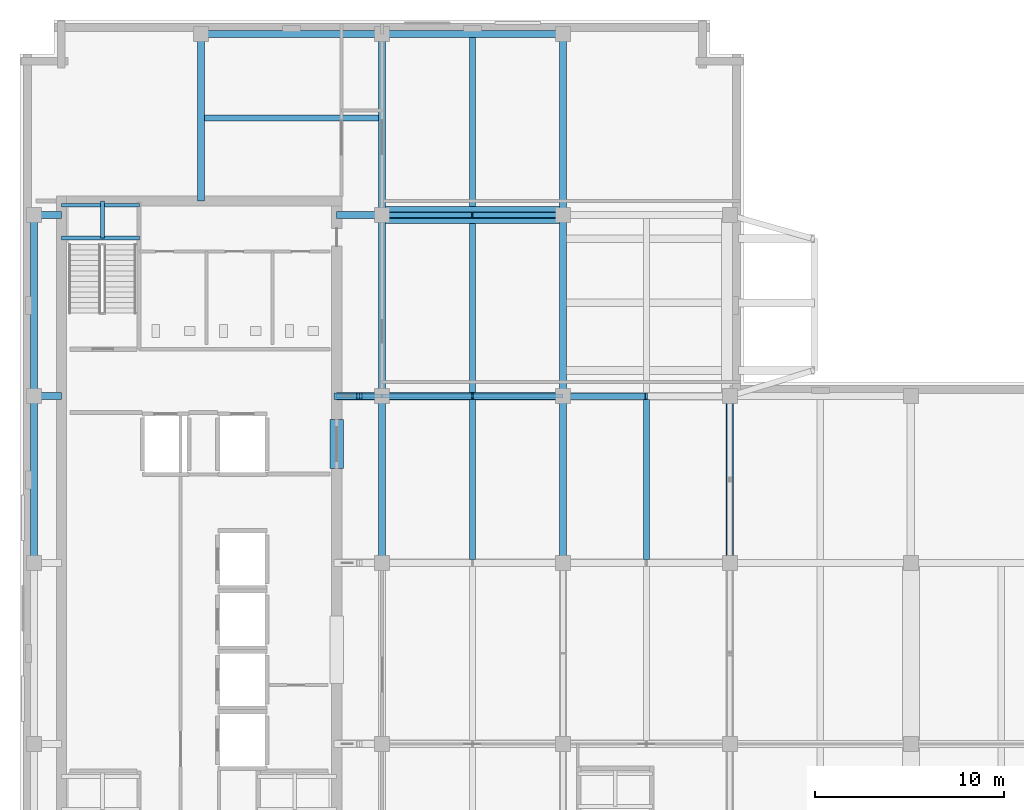
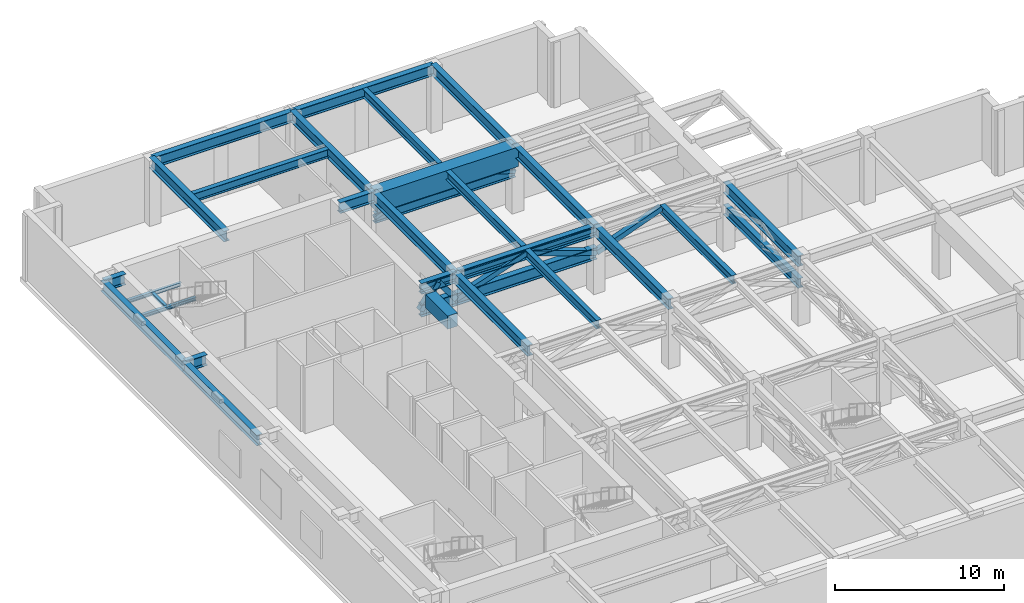
# One storey, part 6 of 19: 31 beams, 9 members.
"""IFC4 building model written with IfcOpenShell, lengths in metres."""

from ifc_helpers import new_model, si_unit, direction, frame, origin, origin_2d, place, context, subcontext, project, spatial, rectangle, hollow_rectangle, i_section, extrude, material, material_profile, profile_set, type_object, element, save


model = new_model("IFC4")

# Units and contexts
model_context = context("Model", 3, precision=1e-05, world=origin(), true_north=direction((0.0, 1.0)))
body_context = subcontext(model_context, "Body", "Model", "MODEL_VIEW")
ifc_project = project(units=[si_unit("LENGTHUNIT", "METRE"), si_unit("AREAUNIT", "SQUARE_METRE"), si_unit("VOLUMEUNIT", "CUBIC_METRE"), si_unit("PLANEANGLEUNIT", "RADIAN"), si_unit("MASSUNIT", "GRAM", prefix="KILO")], contexts=[model_context])

# Site, building, storey
site_placement = place(None, origin())
site = spatial("IfcSite", under=ifc_project, at=site_placement, CompositionType="ELEMENT")
building_placement = place(site_placement, origin())
building = spatial("IfcBuilding", under=site, at=building_placement, Name="Norrvale University Quadrangle", CompositionType="ELEMENT")
storey_placement = place(building_placement, frame((0.0, 0.0, 256.0)))
storey = spatial("IfcBuildingStorey", under=building, at=storey_placement, Name="L65", CompositionType="ELEMENT", Elevation=256.0)

# Beams
ifc_material_1 = material(Name="Steel 350W", Category="steel")
ifc_material_profile_1 = material_profile(ifc_material_1, i_section(OverallWidth=0.324951171875, OverallDepth=0.615966796875, WebThickness=0.013916015625, FlangeThickness=0.021484375, FilletRadius=0.01611328125, at=origin_2d()), Name="Steel 350W")
ifc_profile_set_1 = profile_set([ifc_material_profile_1], Name="Steel 350W")
beam_type_1 = type_object("IfcBeamType", Name="Beam Belt W610x174", PredefinedType="BEAM", material=ifc_profile_set_1)
beam_1_placement = place(storey_placement, frame((24.0, 28.990478515625, 4.431884765625), z_axis=(0.0, 1.0, 0.0), x_axis=(-1.0, 0.0, 0.0)))
element("IfcBeam", 1, at=beam_1_placement, inside=storey, type_object=beam_type_1, Name="Beam Belt W610x174 BM-L65-J060", PredefinedType="BEAM", context=body_context, shape_type="SweptSolid", body=[
    extrude(i_section(OverallWidth=0.324951171875, OverallDepth=0.615966796875, WebThickness=0.013916015625, FlangeThickness=0.021484375, FilletRadius=0.01611328125, at=origin_2d()), origin(), (0.0, 0.0, 1.0), 8.468994140625),
])
for number, where, z_axis, x_axis, name in (
    (2, (24.0, 37.840576171875, 4.431884765625), (0.0, 1.0, 0.0), (-1.0, 0.0, 0.0), "Beam Belt W610x174 BM-L65-J061"),
    (3, (24.0, 47.699951171875, 4.39208984375), (0.0, 1.0, 0.0), (-1.0, 0.0, 0.0), "Beam Belt W610x174 BM-L65-J062"),
):
    element("IfcBeam", number, at=place(storey_placement, frame(where, z_axis=z_axis, x_axis=x_axis)), inside=storey, type_object=beam_type_1, Name=name, PredefinedType="BEAM", context=body_context, shape_type="SweptSolid", body=[
        extrude(i_section(OverallWidth=0.324951171875, OverallDepth=0.615966796875, WebThickness=0.013916015625, FlangeThickness=0.021484375, FilletRadius=0.01611328125, at=origin_2d()), origin(), (0.0, 0.0, 1.0), 8.95947265625),
    ])
beam_2_placement = place(storey_placement, frame((33.22509765625, 28.990478515625, 4.431884765625), z_axis=(0.0, 1.0, 0.0), x_axis=(-1.0, 0.0, 0.0)))
element("IfcBeam", 4, at=beam_2_placement, inside=storey, type_object=beam_type_1, Name="Beam Belt W610x174 BM-L65-J065", PredefinedType="BEAM", context=body_context, shape_type="SweptSolid", body=[
    extrude(i_section(OverallWidth=0.324951171875, OverallDepth=0.615966796875, WebThickness=0.013916015625, FlangeThickness=0.021484375, FilletRadius=0.01611328125, at=origin_2d()), origin(), (0.0, 0.0, 1.0), 8.468994140625),
])
beam_3_placement = place(storey_placement, frame((9.79052734375, 52.39990234375, 4.39208984375), z_axis=(1.0, 0.0, 0.0), x_axis=(0.0, 1.0, 0.0)))
element("IfcBeam", 5, at=beam_3_placement, inside=storey, type_object=beam_type_1, Name="Beam Belt W610x174 BM-L65-JCN076", PredefinedType="BEAM", context=body_context, shape_type="SweptSolid", body=[
    extrude(i_section(OverallWidth=0.324951171875, OverallDepth=0.615966796875, WebThickness=0.013916015625, FlangeThickness=0.021484375, FilletRadius=0.01611328125, at=origin_2d()), origin(), (0.0, 0.0, 1.0), 9.218994140625),
])
ifc_material_profile_2 = material_profile(ifc_material_1, i_section(OverallWidth=0.35498046875, OverallDepth=0.695068359375, WebThickness=0.015380859375, FlangeThickness=0.02490234375, FilletRadius=0.01806640625, at=origin_2d()), Name="Steel 350W")
ifc_profile_set_2 = profile_set([ifc_material_profile_2], Name="Steel 350W")
beam_type_2 = type_object("IfcBeamType", Name="Beam Belt W690x217", PredefinedType="BEAM", material=ifc_profile_set_2)
beam_4_placement = place(storey_placement, frame((37.64990234375, 28.800048828125, 2.75), z_axis=(0.0, 1.0, 0.0), x_axis=(-1.0, 0.0, 0.0)))
element("IfcBeam", 6, at=beam_4_placement, inside=storey, type_object=beam_type_2, Name="Belt Truss Chord L65-03", PredefinedType="BEAM", context=body_context, shape_type="SweptSolid", body=[
    extrude(i_section(OverallWidth=0.35498046875, OverallDepth=0.695068359375, WebThickness=0.015380859375, FlangeThickness=0.02490234375, FilletRadius=0.01806640625, at=origin_2d()), origin(), (0.0, 0.0, 1.0), 8.849853515625),
])
beam_5_placement = place(storey_placement, frame((19.199951171875, 47.25, 2.75), z_axis=(1.0, 0.0, 0.0), x_axis=(0.0, 1.0, 0.0)))
element("IfcBeam", 7, at=beam_5_placement, inside=storey, type_object=beam_type_2, Name="Belt Truss Chord L65-06", PredefinedType="BEAM", context=body_context, shape_type="SweptSolid", body=[
    extrude(i_section(OverallWidth=0.35498046875, OverallDepth=0.695068359375, WebThickness=0.015380859375, FlangeThickness=0.02490234375, FilletRadius=0.01806640625, at=origin_2d()), origin(), (0.0, 0.0, 1.0), 9.60009765625),
])
ifc_material_2 = material(Name="Concrete C80/95", Category="concrete")
ifc_material_profile_3 = material_profile(ifc_material_2, rectangle(XDim=0.699951171875, YDim=0.949951171875, at=origin_2d()), Name="Concrete C80/95")
ifc_profile_set_3 = profile_set([ifc_material_profile_3], Name="Concrete C80/95")
beam_type_3 = type_object("IfcBeamType", Name="Beam Core Link 700x950", PredefinedType="LINTEL", material=ifc_profile_set_3)
beam_6_placement = place(storey_placement, frame((16.800048828125, 33.800048828125, 4.264892578125), z_axis=(0.0, 1.0, 0.0), x_axis=(-1.0, 0.0, 0.0)))
element("IfcBeam", 8, at=beam_6_placement, inside=storey, type_object=beam_type_3, Name="Core Coupling Lintel Beam L65-2", PredefinedType="LINTEL", context=body_context, shape_type="SweptSolid", body=[
    extrude(rectangle(XDim=0.699951171875, YDim=0.949951171875, at=origin_2d()), origin(), (0.0, 0.0, 1.0), 2.599853515625),
])
ifc_material_profile_4 = material_profile(ifc_material_1, i_section(OverallWidth=0.381103515625, OverallDepth=0.77294921875, WebThickness=0.0166015625, FlangeThickness=0.027587890625, FilletRadius=0.02001953125, at=origin_2d()), Name="Steel 350W")
ifc_profile_set_4 = profile_set([ifc_material_profile_4], Name="Steel 350W")
beam_type_4 = type_object("IfcBeamType", Name="Beam Outrig W760x257", PredefinedType="BEAM", material=ifc_profile_set_4)
beam_7_placement = place(storey_placement, frame((19.199951171875, 37.64990234375, 4.353515625), z_axis=(1.0, 0.0, 0.0), x_axis=(0.0, 1.0, 0.0)))
element("IfcBeam", 9, at=beam_7_placement, inside=storey, type_object=beam_type_4, Name="Beam Outrig W760x257 BM-L65-GX017", PredefinedType="BEAM", context=body_context, shape_type="SweptSolid", body=[
    extrude(i_section(OverallWidth=0.381103515625, OverallDepth=0.77294921875, WebThickness=0.0166015625, FlangeThickness=0.027587890625, FilletRadius=0.02001953125, at=origin_2d()), origin(), (0.0, 0.0, 1.0), 9.60009765625),
])
beam_8_placement = place(storey_placement, frame((9.60009765625, 56.85009765625, 4.3134765625), z_axis=(1.0, 0.0, 0.0), x_axis=(0.0, 1.0, 0.0)))
element("IfcBeam", 10, at=beam_8_placement, inside=storey, type_object=beam_type_4, Name="Beam Outrig W760x257 BM-L65-GX021", PredefinedType="BEAM", context=body_context, shape_type="SweptSolid", body=[
    extrude(i_section(OverallWidth=0.381103515625, OverallDepth=0.77294921875, WebThickness=0.0166015625, FlangeThickness=0.027587890625, FilletRadius=0.02001953125, at=origin_2d()), origin(), (0.0, 0.0, 1.0), 9.599853515625),
])
beam_9_placement = place(storey_placement, frame((19.199951171875, 56.85009765625, 4.3134765625), z_axis=(1.0, 0.0, 0.0), x_axis=(0.0, 1.0, 0.0)))
element("IfcBeam", 11, at=beam_9_placement, inside=storey, type_object=beam_type_4, Name="Beam Outrig W760x257 BM-L65-GX022", PredefinedType="BEAM", context=body_context, shape_type="SweptSolid", body=[
    extrude(i_section(OverallWidth=0.381103515625, OverallDepth=0.77294921875, WebThickness=0.0166015625, FlangeThickness=0.027587890625, FilletRadius=0.02001953125, at=origin_2d()), origin(), (0.0, 0.0, 1.0), 9.60009765625),
])
beam_10_placement = place(storey_placement, frame((0.75, 28.800048828125, 4.353515625), z_axis=(0.0, 1.0, 0.0), x_axis=(-1.0, 0.0, 0.0)))
element("IfcBeam", 12, at=beam_10_placement, inside=storey, type_object=beam_type_4, Name="Beam Outrig W760x257 BM-L65-GY025", PredefinedType="BEAM", context=body_context, shape_type="SweptSolid", body=[
    extrude(i_section(OverallWidth=0.381103515625, OverallDepth=0.77294921875, WebThickness=0.0166015625, FlangeThickness=0.027587890625, FilletRadius=0.02001953125, at=origin_2d()), origin(), (0.0, 0.0, 1.0), 8.849853515625),
])
beam_11_placement = place(storey_placement, frame((0.75, 37.64990234375, 4.353515625), z_axis=(0.0, 1.0, 0.0), x_axis=(-1.0, 0.0, 0.0)))
element("IfcBeam", 13, at=beam_11_placement, inside=storey, type_object=beam_type_4, Name="Beam Outrig W760x257 BM-L65-GY026", PredefinedType="BEAM", context=body_context, shape_type="SweptSolid", body=[
    extrude(i_section(OverallWidth=0.381103515625, OverallDepth=0.77294921875, WebThickness=0.0166015625, FlangeThickness=0.027587890625, FilletRadius=0.02001953125, at=origin_2d()), origin(), (0.0, 0.0, 1.0), 9.60009765625),
])
beam_12_placement = place(storey_placement, frame((19.199951171875, 28.800048828125, 4.353515625), z_axis=(0.0, 1.0, 0.0), x_axis=(-1.0, 0.0, 0.0)))
element("IfcBeam", 14, at=beam_12_placement, inside=storey, type_object=beam_type_4, Name="Beam Outrig W760x257 BM-L65-GY030", PredefinedType="BEAM", context=body_context, shape_type="SweptSolid", body=[
    extrude(i_section(OverallWidth=0.381103515625, OverallDepth=0.77294921875, WebThickness=0.0166015625, FlangeThickness=0.027587890625, FilletRadius=0.02001953125, at=origin_2d()), origin(), (0.0, 0.0, 1.0), 8.849853515625),
])
for number, where, z_axis, x_axis, name in (
    (15, (19.199951171875, 37.64990234375, 4.353515625), (0.0, 1.0, 0.0), (-1.0, 0.0, 0.0), "Beam Outrig W760x257 BM-L65-GY031"),
    (16, (19.199951171875, 47.25, 4.3134765625), (0.0, 1.0, 0.0), (-1.0, 0.0, 0.0), "Beam Outrig W760x257 BM-L65-GY032"),
):
    element("IfcBeam", number, at=place(storey_placement, frame(where, z_axis=z_axis, x_axis=x_axis)), inside=storey, type_object=beam_type_4, Name=name, PredefinedType="BEAM", context=body_context, shape_type="SweptSolid", body=[
        extrude(i_section(OverallWidth=0.381103515625, OverallDepth=0.77294921875, WebThickness=0.0166015625, FlangeThickness=0.027587890625, FilletRadius=0.02001953125, at=origin_2d()), origin(), (0.0, 0.0, 1.0), 9.60009765625),
    ])
beam_13_placement = place(storey_placement, frame((28.800048828125, 28.800048828125, 4.353515625), z_axis=(0.0, 1.0, 0.0), x_axis=(-1.0, 0.0, 0.0)))
element("IfcBeam", 17, at=beam_13_placement, inside=storey, type_object=beam_type_4, Name="Beam Outrig W760x257 BM-L65-GY036", PredefinedType="BEAM", context=body_context, shape_type="SweptSolid", body=[
    extrude(i_section(OverallWidth=0.381103515625, OverallDepth=0.77294921875, WebThickness=0.0166015625, FlangeThickness=0.027587890625, FilletRadius=0.02001953125, at=origin_2d()), origin(), (0.0, 0.0, 1.0), 8.849853515625),
])
for number, where, z_axis, x_axis, name in (
    (18, (28.800048828125, 37.64990234375, 4.353515625), (0.0, 1.0, 0.0), (-1.0, 0.0, 0.0), "Beam Outrig W760x257 BM-L65-GY037"),
    (19, (28.800048828125, 47.25, 4.3134765625), (0.0, 1.0, 0.0), (-1.0, 0.0, 0.0), "Beam Outrig W760x257 BM-L65-GY038"),
):
    element("IfcBeam", number, at=place(storey_placement, frame(where, z_axis=z_axis, x_axis=x_axis)), inside=storey, type_object=beam_type_4, Name=name, PredefinedType="BEAM", context=body_context, shape_type="SweptSolid", body=[
        extrude(i_section(OverallWidth=0.381103515625, OverallDepth=0.77294921875, WebThickness=0.0166015625, FlangeThickness=0.027587890625, FilletRadius=0.02001953125, at=origin_2d()), origin(), (0.0, 0.0, 1.0), 9.60009765625),
    ])
beam_14_placement = place(storey_placement, frame((37.64990234375, 28.800048828125, 4.353515625), z_axis=(0.0, 1.0, 0.0), x_axis=(-1.0, 0.0, 0.0)))
element("IfcBeam", 20, at=beam_14_placement, inside=storey, type_object=beam_type_4, Name="Beam Outrig W760x257 BM-L65-GY042", PredefinedType="BEAM", context=body_context, shape_type="SweptSolid", body=[
    extrude(i_section(OverallWidth=0.381103515625, OverallDepth=0.77294921875, WebThickness=0.0166015625, FlangeThickness=0.027587890625, FilletRadius=0.02001953125, at=origin_2d()), origin(), (0.0, 0.0, 1.0), 8.849853515625),
])
beam_15_placement = place(storey_placement, frame((0.75, 37.64990234375, 4.353515625), z_axis=(1.0, 0.0, 0.0), x_axis=(0.0, 1.0, 0.0)))
element("IfcBeam", 21, at=beam_15_placement, inside=storey, type_object=beam_type_4, Name="Beam Outrig W760x257 BM-L65-GCW053", PredefinedType="BEAM", context=body_context, shape_type="SweptSolid", body=[
    extrude(i_section(OverallWidth=0.381103515625, OverallDepth=0.77294921875, WebThickness=0.0166015625, FlangeThickness=0.027587890625, FilletRadius=0.02001953125, at=origin_2d()), origin(), (0.0, 0.0, 1.0), 1.449951171875),
])
beam_16_placement = place(storey_placement, frame((16.800048828125, 37.64990234375, 4.353515625), z_axis=(1.0, 0.0, 0.0), x_axis=(0.0, 1.0, 0.0)))
element("IfcBeam", 22, at=beam_16_placement, inside=storey, type_object=beam_type_4, Name="Beam Outrig W760x257 BM-L65-GCE054", PredefinedType="BEAM", context=body_context, shape_type="SweptSolid", body=[
    extrude(i_section(OverallWidth=0.381103515625, OverallDepth=0.77294921875, WebThickness=0.0166015625, FlangeThickness=0.027587890625, FilletRadius=0.02001953125, at=origin_2d()), origin(), (0.0, 0.0, 1.0), 2.39990234375),
])
beam_17_placement = place(storey_placement, frame((0.75, 47.25, 4.353515625), z_axis=(1.0, 0.0, 0.0), x_axis=(0.0, 1.0, 0.0)))
element("IfcBeam", 23, at=beam_17_placement, inside=storey, type_object=beam_type_4, Name="Beam Outrig W760x257 BM-L65-GCW055", PredefinedType="BEAM", context=body_context, shape_type="SweptSolid", body=[
    extrude(i_section(OverallWidth=0.381103515625, OverallDepth=0.77294921875, WebThickness=0.0166015625, FlangeThickness=0.027587890625, FilletRadius=0.02001953125, at=origin_2d()), origin(), (0.0, 0.0, 1.0), 1.449951171875),
])
beam_18_placement = place(storey_placement, frame((16.800048828125, 47.25, 4.353515625), z_axis=(1.0, 0.0, 0.0), x_axis=(0.0, 1.0, 0.0)))
element("IfcBeam", 24, at=beam_18_placement, inside=storey, type_object=beam_type_4, Name="Beam Outrig W760x257 BM-L65-GCE056", PredefinedType="BEAM", context=body_context, shape_type="SweptSolid", body=[
    extrude(i_section(OverallWidth=0.381103515625, OverallDepth=0.77294921875, WebThickness=0.0166015625, FlangeThickness=0.027587890625, FilletRadius=0.02001953125, at=origin_2d()), origin(), (0.0, 0.0, 1.0), 2.39990234375),
])
beam_19_placement = place(storey_placement, frame((9.60009765625, 48.0, 4.3134765625), z_axis=(0.0, 1.0, 0.0), x_axis=(-1.0, 0.0, 0.0)))
element("IfcBeam", 25, at=beam_19_placement, inside=storey, type_object=beam_type_4, Name="Beam Outrig W760x257 BM-L65-GCN075", PredefinedType="BEAM", context=body_context, shape_type="SweptSolid", body=[
    extrude(i_section(OverallWidth=0.381103515625, OverallDepth=0.77294921875, WebThickness=0.0166015625, FlangeThickness=0.027587890625, FilletRadius=0.02001953125, at=origin_2d()), origin(), (0.0, 0.0, 1.0), 8.85009765625),
])
ifc_material_profile_5 = material_profile(ifc_material_1, i_section(OverallWidth=0.39990234375, OverallDepth=0.85498046875, WebThickness=0.018310546875, FlangeThickness=0.029296875, FilletRadius=0.02197265625, at=origin_2d()), Name="Steel 350W")
ifc_profile_set_5 = profile_set([ifc_material_profile_5], Name="Steel 350W")
beam_type_5 = type_object("IfcBeamType", Name="Beam Outrig W840x299", PredefinedType="BEAM", material=ifc_profile_set_5)
beam_20_placement = place(storey_placement, frame((16.800048828125, 37.64990234375, 2.75), z_axis=(1.0, 0.0, 0.0), x_axis=(0.0, 1.0, 0.0)))
element("IfcBeam", 26, at=beam_20_placement, inside=storey, type_object=beam_type_5, Name="Outrigger Bottom Chord L65-4.1", PredefinedType="BEAM", context=body_context, shape_type="SweptSolid", body=[
    extrude(i_section(OverallWidth=0.39990234375, OverallDepth=0.85498046875, WebThickness=0.018310546875, FlangeThickness=0.029296875, FilletRadius=0.02197265625, at=origin_2d()), origin(), (0.0, 0.0, 1.0), 2.39990234375),
])
beam_21_placement = place(storey_placement, frame((19.199951171875, 37.64990234375, 2.75), z_axis=(1.0, 0.0, 0.0), x_axis=(0.0, 1.0, 0.0)))
element("IfcBeam", 27, at=beam_21_placement, inside=storey, type_object=beam_type_5, Name="Outrigger Bottom Chord L65-4.2", PredefinedType="BEAM", context=body_context, shape_type="SweptSolid", body=[
    extrude(i_section(OverallWidth=0.39990234375, OverallDepth=0.85498046875, WebThickness=0.018310546875, FlangeThickness=0.029296875, FilletRadius=0.02197265625, at=origin_2d()), origin(), (0.0, 0.0, 1.0), 9.60009765625),
])
ifc_material_profile_6 = material_profile(ifc_material_1, i_section(OverallWidth=0.201904296875, OverallDepth=0.2470703125, WebThickness=0.00732421875, FlangeThickness=0.010986328125, FilletRadius=0.011962890625, at=origin_2d()), Name="Steel 350W")
ifc_profile_set_6 = profile_set([ifc_material_profile_6], Name="Steel 350W")
beam_type_6 = type_object("IfcBeamType", Name="Beam Stair W250x49", PredefinedType="BEAM", material=ifc_profile_set_6)
for number, where, z_axis, x_axis, name in (
    (28, (2.199951171875, 46.030029296875, 2.176513671875), (1.0, 0.0, 0.0), (0.0, 1.0, 0.0), "Stair Mid-Landing Front Beam ST-02 L65"),
    (29, (2.199951171875, 47.77001953125, 2.176513671875), (1.0, 0.0, 0.0), (0.0, 1.0, 0.0), "Stair Mid-Landing Rear Beam ST-02 L65"),
):
    element("IfcBeam", number, at=place(storey_placement, frame(where, z_axis=z_axis, x_axis=x_axis)), inside=storey, type_object=beam_type_6, Name=name, PredefinedType="BEAM", context=body_context, shape_type="SweptSolid", body=[
        extrude(i_section(OverallWidth=0.201904296875, OverallDepth=0.2470703125, WebThickness=0.00732421875, FlangeThickness=0.010986328125, FilletRadius=0.011962890625, at=origin_2d()), origin(), (0.0, 0.0, 1.0), 4.14013671875),
    ])
ifc_material_3 = material(Name="Concrete C60/75", Category="concrete")
ifc_material_profile_7 = material_profile(ifc_material_3, rectangle(XDim=0.89990234375, YDim=1.39990234375, at=origin_2d()), Name="Concrete C60/75")
ifc_profile_set_7 = profile_set([ifc_material_profile_7], Name="Concrete C60/75")
beam_type_7 = type_object("IfcBeamType", Name="Beam Transfer 900x1400", PredefinedType="USERDEFINED", material=ifc_profile_set_7)
beam_22_placement = place(storey_placement, frame((19.199951171875, 47.25, 4.0400390625), z_axis=(1.0, 0.0, 0.0), x_axis=(0.0, 1.0, 0.0)))
element("IfcBeam", 30, at=beam_22_placement, inside=storey, type_object=beam_type_7, Name="Setback Transfer Girder L65-25", ObjectType="TRANSFER GIRDER", PredefinedType="USERDEFINED", context=body_context, shape_type="SweptSolid", body=[
    extrude(rectangle(XDim=0.89990234375, YDim=1.39990234375, at=origin_2d()), origin(), (0.0, 0.0, 1.0), 9.60009765625),
])
ifc_material_profile_8 = material_profile(ifc_material_1, i_section(OverallWidth=0.202880859375, OverallDepth=0.202880859375, WebThickness=0.007080078125, FlangeThickness=0.010986328125, FilletRadius=0.010009765625, at=origin_2d()), Name="Steel 350W")
ifc_profile_set_8 = profile_set([ifc_material_profile_8], Name="Steel 350W")
beam_type_8 = type_object("IfcBeamType", Name="Beam Trim W200x46", PredefinedType="BEAM", material=ifc_profile_set_8)
beam_23_placement = place(storey_placement, frame((4.375, 46.030029296875, 2.198486328125), z_axis=(0.0, 1.0, 0.0), x_axis=(-1.0, 0.0, 0.0)))
element("IfcBeam", 31, at=beam_23_placement, inside=storey, type_object=beam_type_8, Name="Stair Mid-Landing Cross Beam ST-02 L65", PredefinedType="BEAM", context=body_context, shape_type="SweptSolid", body=[
    extrude(i_section(OverallWidth=0.202880859375, OverallDepth=0.202880859375, WebThickness=0.007080078125, FlangeThickness=0.010986328125, FilletRadius=0.010009765625, at=origin_2d()), origin(), (0.0, 0.0, 1.0), 1.969970703125),
])

# Members
ifc_material_profile_9 = material_profile(ifc_material_1, hollow_rectangle(XDim=0.25390625, YDim=0.25390625, WallThickness=0.012939453125, at=origin_2d()), Name="Steel 350W")
ifc_profile_set_9 = profile_set([ifc_material_profile_9], Name="Steel 350W")
member_type_1 = type_object("IfcMemberType", Name="Member Belt Diag HSS254", PredefinedType="BRACE", material=ifc_profile_set_9)
for number, where, z_axis, x_axis, name in (
    (32, (19.199951171875, 47.25, 2.75), (0.946298508087, 0.0, 0.32329419047), (0.0, 1.0, 0.0), "Belt Truss Brace L65-06A"),
    (33, (28.800048828125, 47.25, 2.75), (-0.946298508087, 0.0, 0.32329419047), (0.0, -1.0, 0.0), "Belt Truss Brace L65-06B"),
):
    element("IfcMember", number, at=place(storey_placement, frame(where, z_axis=z_axis, x_axis=x_axis)), inside=storey, type_object=member_type_1, Name=name, PredefinedType="BRACE", context=body_context, shape_type="SweptSolid", body=[
        extrude(hollow_rectangle(XDim=0.25390625, YDim=0.25390625, WallThickness=0.012939453125, at=origin_2d()), origin(), (0.0, 0.0, 1.0), 5.072509765625),
    ])
ifc_material_profile_10 = material_profile(ifc_material_1, hollow_rectangle(XDim=0.202880859375, YDim=0.304931640625, WallThickness=0.012939453125, at=origin_2d()), Name="Steel 350W")
ifc_profile_set_10 = profile_set([ifc_material_profile_10], Name="Steel 350W")
member_type_2 = type_object("IfcMemberType", Name="Member Chord HSS305x203", PredefinedType="CHORD", material=ifc_profile_set_10)
member_1_placement = place(storey_placement, frame((16.800048828125, 37.64990234375, 4.389892578125), z_axis=(1.0, 0.0, 0.0), x_axis=(0.0, 1.0, 0.0)))
element("IfcMember", 34, at=member_1_placement, inside=storey, type_object=member_type_2, Name="Outrigger Top Chord L65-4.1", PredefinedType="CHORD", context=body_context, shape_type="SweptSolid", body=[
    extrude(hollow_rectangle(XDim=0.202880859375, YDim=0.304931640625, WallThickness=0.012939453125, at=origin_2d()), origin(), (0.0, 0.0, 1.0), 2.39990234375),
])
member_2_placement = place(storey_placement, frame((19.199951171875, 37.64990234375, 4.389892578125), z_axis=(1.0, 0.0, 0.0), x_axis=(0.0, 1.0, 0.0)))
element("IfcMember", 35, at=member_2_placement, inside=storey, type_object=member_type_2, Name="Outrigger Top Chord L65-4.2", PredefinedType="CHORD", context=body_context, shape_type="SweptSolid", body=[
    extrude(hollow_rectangle(XDim=0.202880859375, YDim=0.304931640625, WallThickness=0.012939453125, at=origin_2d()), origin(), (0.0, 0.0, 1.0), 9.60009765625),
])
ifc_material_profile_11 = material_profile(ifc_material_1, hollow_rectangle(XDim=0.35595703125, YDim=0.35595703125, WallThickness=0.01611328125, at=origin_2d()), Name="Steel 350W")
ifc_profile_set_11 = profile_set([ifc_material_profile_11], Name="Steel 350W")
member_type_3 = type_object("IfcMemberType", Name="Member Outrig Diag HSS356", PredefinedType="BRACE", material=ifc_profile_set_11)
for number, where, z_axis, x_axis, name in (
    (36, (16.800048828125, 37.64990234375, 2.75), (0.59051953716, 0.0, 0.807023343053), (0.0, 1.0, 0.0), "Outrigger Truss Diagonal L65-4.1A"),
    (37, (19.199951171875, 37.64990234375, 2.75), (-0.59051953716, 0.0, 0.807023343053), (0.0, -1.0, 0.0), "Outrigger Truss Diagonal L65-4.1B"),
):
    element("IfcMember", number, at=place(storey_placement, frame(where, z_axis=z_axis, x_axis=x_axis)), inside=storey, type_object=member_type_3, Name=name, PredefinedType="BRACE", context=body_context, shape_type="SweptSolid", body=[
        extrude(hollow_rectangle(XDim=0.35595703125, YDim=0.35595703125, WallThickness=0.01611328125, at=origin_2d()), origin(), (0.0, 0.0, 1.0), 2.031982421875),
    ])
for number, where, z_axis, x_axis, name in (
    (38, (19.199951171875, 37.64990234375, 2.75), (0.946298508087, 0.0, 0.32329419047), (0.0, 1.0, 0.0), "Outrigger Truss Diagonal L65-4.2A"),
    (39, (28.800048828125, 37.64990234375, 2.75), (-0.946298508087, 0.0, 0.32329419047), (0.0, -1.0, 0.0), "Outrigger Truss Diagonal L65-4.2B"),
):
    element("IfcMember", number, at=place(storey_placement, frame(where, z_axis=z_axis, x_axis=x_axis)), inside=storey, type_object=member_type_3, Name=name, PredefinedType="BRACE", context=body_context, shape_type="SweptSolid", body=[
        extrude(hollow_rectangle(XDim=0.35595703125, YDim=0.35595703125, WallThickness=0.01611328125, at=origin_2d()), origin(), (0.0, 0.0, 1.0), 5.072509765625),
    ])
member_3_placement = place(storey_placement, frame((28.800048828125, 37.64990234375, 2.75), z_axis=(0.937680720811, 0.0, 0.347498008369), x_axis=(0.0, 1.0, 0.0)))
element("IfcMember", 40, at=member_3_placement, inside=storey, type_object=member_type_3, Name="Outrigger Truss Diagonal L65-4.3A", PredefinedType="BRACE", context=body_context, shape_type="SweptSolid", body=[
    extrude(hollow_rectangle(XDim=0.35595703125, YDim=0.35595703125, WallThickness=0.01611328125, at=origin_2d()), origin(), (0.0, 0.0, 1.0), 4.71923828125),
])

save(model, "model.ifc")
